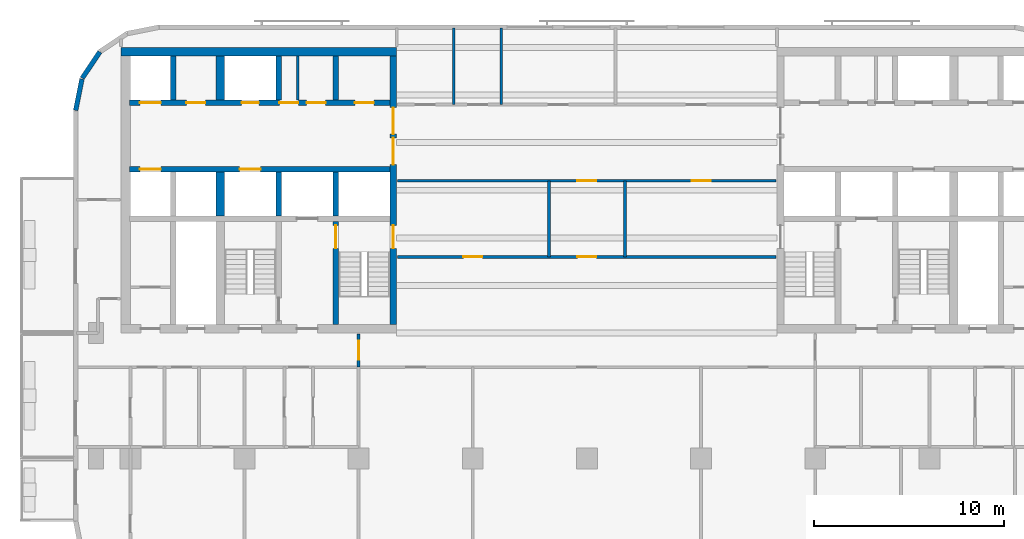
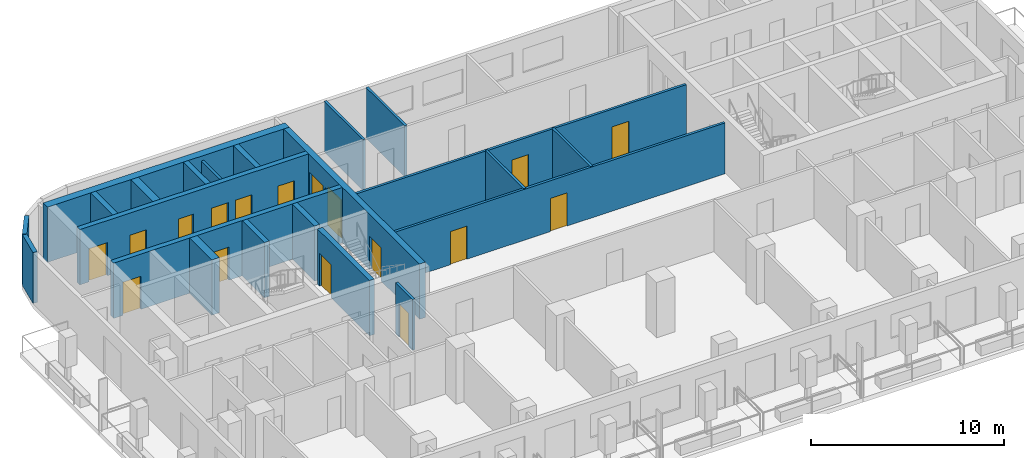
# One storey, part 4 of 11: 22 walls, 17 doors, 17 openings.
"""IFC4 building model written with IfcOpenShell, lengths in metres."""

from ifc_helpers import new_model, si_unit, direction, frame, frame_2d, origin, place, context, subcontext, project, spatial, rectangle, extrude, material, layer, layer_set, type_object, element, fill, save


model = new_model("IFC4")

# Units and contexts
model_context = context("Model", 3, precision=1e-05, world=origin(), true_north=direction((0.0, 1.0)))
body_context = subcontext(model_context, "Body", "Model", "MODEL_VIEW")
ifc_project = project(units=[si_unit("LENGTHUNIT", "METRE"), si_unit("AREAUNIT", "SQUARE_METRE"), si_unit("VOLUMEUNIT", "CUBIC_METRE"), si_unit("PLANEANGLEUNIT", "RADIAN"), si_unit("MASSUNIT", "GRAM", prefix="KILO")], contexts=[model_context])

# Site, building, storey
site_placement = place(None, origin())
site = spatial("IfcSite", under=ifc_project, at=site_placement, CompositionType="ELEMENT")
building_placement = place(site_placement, origin())
building = spatial("IfcBuilding", under=site, at=building_placement, Name="Torana Hotel and Residences", CompositionType="ELEMENT")
storey_placement = place(building_placement, frame((0.0, 0.0, 222.10009765625)))
storey = spatial("IfcBuildingStorey", under=building, at=storey_placement, Name="L58", CompositionType="ELEMENT", Elevation=222.10009765625)

# Wall, openings, doors
ifc_material_1 = material(Name="Concrete C70/85", Category="concrete")
ifc_layer_1 = layer(ifc_material_1, 0.300048828125)
ifc_layer_set_1 = layer_set([ifc_layer_1], Name="CORE WALL 300 C70/85")
wall_type_1 = type_object("IfcWallType", Name="CORE WALL 300 C70/85", PredefinedType="SHEAR", material=ifc_layer_set_1)
wall_1_placement = place(storey_placement, frame((-24.050048828125, -2.89990234375, 0.0), z_axis=(0.0, 0.0, 1.0), x_axis=(1.0, 0.0, 0.0)))
wall_1 = element("IfcWall", 1, at=wall_1_placement, inside=storey, type_object=wall_type_1, Name="Core wall W row-N", PredefinedType="SHEAR", context=body_context, shape_type="SweptSolid", body=[
    extrude(rectangle(XDim=13.699951171875, YDim=0.300048828125, at=frame_2d((6.85009765625, 0.0))), origin(), (0.0, 0.0, 1.0), 3.5),
])
opening_1_placement = place(wall_1_placement, frame((0.550048828125, 0.0, 0.0)))
opening_1 = element("IfcOpeningElement", 2, at=opening_1_placement, cuts=wall_1, Name="Opening LD", PredefinedType="OPENING", context=body_context, shape_type="SweptSolid", body=[
    extrude(rectangle(XDim=1.10009765625, YDim=2.10009765625, at=frame_2d((0.550048828125, 1.050048828125))), frame((0.0, 0.159912109375, 0.0), z_axis=(0.0, -1.0, 0.0), x_axis=(1.0, 0.0, 0.0)), (0.0, 0.0, 1.0), 0.320068359375),
])
opening_2_placement = place(wall_1_placement, frame((5.89990234375, 0.0, 0.0)))
opening_2 = element("IfcOpeningElement", 3, at=opening_2_placement, cuts=wall_1, Name="Opening L58-08", PredefinedType="OPENING", context=body_context, shape_type="SweptSolid", body=[
    extrude(rectangle(XDim=0.89990234375, YDim=2.10009765625, at=frame_2d((0.449951171875, 1.050048828125))), frame((0.0, 0.159912109375, 0.0), z_axis=(0.0, -1.0, 0.0), x_axis=(1.0, 0.0, 0.0)), (0.0, 0.0, 1.0), 0.320068359375),
])
opening_3_placement = place(wall_1_placement, frame((11.85009765625, 0.0, 0.0)))
opening_3 = element("IfcOpeningElement", 4, at=opening_3_placement, cuts=wall_1, Name="Opening L58-09", PredefinedType="OPENING", context=body_context, shape_type="SweptSolid", body=[
    extrude(rectangle(XDim=1.0, YDim=2.10009765625, at=frame_2d((0.5, 1.050048828125))), frame((0.0, 0.159912109375, 0.0), z_axis=(0.0, -1.0, 0.0), x_axis=(1.0, 0.0, 0.0)), (0.0, 0.0, 1.0), 0.320068359375),
])
opening_4_placement = place(wall_1_placement, frame((9.3125, 0.0, 0.0)))
opening_4 = element("IfcOpeningElement", 5, at=opening_4_placement, cuts=wall_1, Name="Opening L58-10", PredefinedType="OPENING", context=body_context, shape_type="SweptSolid", body=[
    extrude(rectangle(XDim=1.0, YDim=2.10009765625, at=frame_2d((0.5, 1.050048828125))), frame((0.0, 0.159912109375, 0.0), z_axis=(0.0, -1.0, 0.0), x_axis=(1.0, 0.0, 0.0)), (0.0, 0.0, 1.0), 0.320068359375),
])
opening_5_placement = place(wall_1_placement, frame((7.887451171875, 0.0, 0.0)))
opening_5 = element("IfcOpeningElement", 6, at=opening_5_placement, cuts=wall_1, Name="Opening L58-11", PredefinedType="OPENING", context=body_context, shape_type="SweptSolid", body=[
    extrude(rectangle(XDim=1.0, YDim=2.10009765625, at=frame_2d((0.5, 1.050048828125))), frame((0.0, 0.159912109375, 0.0), z_axis=(0.0, -1.0, 0.0), x_axis=(1.0, 0.0, 0.0)), (0.0, 0.0, 1.0), 0.320068359375),
])
opening_6_placement = place(wall_1_placement, frame((3.0, 0.0, 0.0)))
opening_6 = element("IfcOpeningElement", 7, at=opening_6_placement, cuts=wall_1, Name="Opening L58-12", PredefinedType="OPENING", context=body_context, shape_type="SweptSolid", body=[
    extrude(rectangle(XDim=1.0, YDim=2.10009765625, at=frame_2d((0.5, 1.050048828125))), frame((0.0, 0.159912109375, 0.0), z_axis=(0.0, -1.0, 0.0), x_axis=(1.0, 0.0, 0.0)), (0.0, 0.0, 1.0), 0.320068359375),
])
ifc_material_2 = material(Name="Steel S235", Category="steel")
door_type_1 = type_object("IfcDoorType", Name="CORE ROOM FIRE DOOR D14 1000x2100", OperationType="SINGLE_SWING_LEFT", PredefinedType="DOOR", material=ifc_material_2)
door_1_placement = place(opening_3_placement, origin())
door_1 = element("IfcDoor", 8, at=door_1_placement, inside=storey, type_object=door_type_1, Name="N0 door L58", OperationType="SINGLE_SWING_RIGHT", OverallHeight=2.10009765625, OverallWidth=1.0, PredefinedType="DOOR", context=body_context, shape_type="SweptSolid", body=[
    extrude(rectangle(XDim=1.0, YDim=2.10009765625, at=frame_2d((0.5, 1.050048828125))), frame((0.0, 0.02490234375, 0.0), z_axis=(0.0, -1.0, 0.0), x_axis=(1.0, 0.0, 0.0)), (0.0, 0.0, 1.0), 0.050048828125),
])
fill(opening_3, door_1)
door_2_placement = place(opening_4_placement, origin())
door_2 = element("IfcDoor", 9, at=door_2_placement, inside=storey, type_object=door_type_1, Name="N1A door L58", OperationType="SINGLE_SWING_RIGHT", OverallHeight=2.10009765625, OverallWidth=1.0, PredefinedType="DOOR", context=body_context, shape_type="SweptSolid", body=[
    extrude(rectangle(XDim=1.0, YDim=2.10009765625, at=frame_2d((0.5, 1.050048828125))), frame((0.0, 0.02490234375, 0.0), z_axis=(0.0, -1.0, 0.0), x_axis=(1.0, 0.0, 0.0)), (0.0, 0.0, 1.0), 0.050048828125),
])
fill(opening_4, door_2)
door_3_placement = place(opening_5_placement, origin())
door_3 = element("IfcDoor", 10, at=door_3_placement, inside=storey, type_object=door_type_1, Name="N1B door L58", OperationType="SINGLE_SWING_RIGHT", OverallHeight=2.10009765625, OverallWidth=1.0, PredefinedType="DOOR", context=body_context, shape_type="SweptSolid", body=[
    extrude(rectangle(XDim=1.0, YDim=2.10009765625, at=frame_2d((0.5, 1.050048828125))), frame((0.0, 0.02490234375, 0.0), z_axis=(0.0, -1.0, 0.0), x_axis=(1.0, 0.0, 0.0)), (0.0, 0.0, 1.0), 0.050048828125),
])
fill(opening_5, door_3)
door_4_placement = place(opening_6_placement, origin())
door_4 = element("IfcDoor", 11, at=door_4_placement, inside=storey, type_object=door_type_1, Name="Freed-S1 door L58", OperationType="SINGLE_SWING_RIGHT", OverallHeight=2.10009765625, OverallWidth=1.0, PredefinedType="DOOR", context=body_context, shape_type="SweptSolid", body=[
    extrude(rectangle(XDim=1.0, YDim=2.10009765625, at=frame_2d((0.5, 1.050048828125))), frame((0.0, 0.02490234375, 0.0), z_axis=(0.0, -1.0, 0.0), x_axis=(1.0, 0.0, 0.0)), (0.0, 0.0, 1.0), 0.050048828125),
])
fill(opening_6, door_4)
ifc_material_3 = material(Name="Stainless steel 316", Category="steel")
door_type_2 = type_object("IfcDoorType", Name="LIFT LANDING DOOR LD 1100x2100", OperationType="DOUBLE_DOOR_SLIDING", PredefinedType="USERDEFINED", material=ifc_material_3)
door_5_placement = place(opening_1_placement, origin())
door_5 = element("IfcDoor", 12, at=door_5_placement, inside=storey, type_object=door_type_2, Name="Lift landing door M1 L58", ObjectType="LIFT LANDING DOOR", OperationType="DOUBLE_DOOR_SLIDING", OverallHeight=2.10009765625, OverallWidth=1.10009765625, PredefinedType="USERDEFINED", context=body_context, shape_type="SweptSolid", body=[
    extrude(rectangle(XDim=1.10009765625, YDim=2.10009765625, at=frame_2d((0.550048828125, 1.050048828125))), frame((0.0, 0.02490234375, 0.0), z_axis=(0.0, -1.0, 0.0), x_axis=(1.0, 0.0, 0.0)), (0.0, 0.0, 1.0), 0.050048828125),
])
fill(opening_1, door_5)
ifc_material_4 = material(Name="Steel S235", Category="steel")
door_type_3 = type_object("IfcDoorType", Name="RISER ACCESS DOOR D5 900x2100", OperationType="SINGLE_SWING_LEFT", PredefinedType="DOOR", material=ifc_material_4)
door_6_placement = place(opening_2_placement, origin())
door_6 = element("IfcDoor", 13, at=door_6_placement, inside=storey, type_object=door_type_3, Name="N2 door L58", OperationType="SINGLE_SWING_RIGHT", OverallHeight=2.10009765625, OverallWidth=0.89990234375, PredefinedType="DOOR", context=body_context, shape_type="SweptSolid", body=[
    extrude(rectangle(XDim=0.89990234375, YDim=2.10009765625, at=frame_2d((0.449951171875, 1.050048828125))), frame((0.0, 0.02490234375, 0.0), z_axis=(0.0, -1.0, 0.0), x_axis=(1.0, 0.0, 0.0)), (0.0, 0.0, 1.0), 0.050048828125),
])
fill(opening_2, door_6)

wall_2_placement = place(storey_placement, frame((-24.050048828125, -6.39990234375, 0.0), z_axis=(0.0, 0.0, 1.0), x_axis=(1.0, 0.0, 0.0)))
wall_2 = element("IfcWall", 14, at=wall_2_placement, inside=storey, type_object=wall_type_1, Name="Core wall W row-S", PredefinedType="SHEAR", context=body_context, shape_type="SweptSolid", body=[
    extrude(rectangle(XDim=13.699951171875, YDim=0.300048828125, at=frame_2d((6.85009765625, 0.0))), origin(), (0.0, 0.0, 1.0), 3.5),
])
opening_7_placement = place(wall_2_placement, frame((0.550048828125, 0.0, 0.0)))
opening_7 = element("IfcOpeningElement", 15, at=opening_7_placement, cuts=wall_2, Name="Opening LD", PredefinedType="OPENING", context=body_context, shape_type="SweptSolid", body=[
    extrude(rectangle(XDim=1.10009765625, YDim=2.10009765625, at=frame_2d((0.550048828125, 1.050048828125))), frame((0.0, 0.159912109375, 0.0), z_axis=(0.0, -1.0, 0.0), x_axis=(1.0, 0.0, 0.0)), (0.0, 0.0, 1.0), 0.320068359375),
])
opening_8_placement = place(wall_2_placement, frame((5.800048828125, 0.0, 0.0)))
opening_8 = element("IfcOpeningElement", 16, at=opening_8_placement, cuts=wall_2, Name="Opening LD", PredefinedType="OPENING", context=body_context, shape_type="SweptSolid", body=[
    extrude(rectangle(XDim=1.10009765625, YDim=2.10009765625, at=frame_2d((0.550048828125, 1.050048828125))), frame((0.0, 0.159912109375, 0.0), z_axis=(0.0, -1.0, 0.0), x_axis=(1.0, 0.0, 0.0)), (0.0, 0.0, 1.0), 0.320068359375),
])
door_7_placement = place(opening_7_placement, origin())
door_7 = element("IfcDoor", 17, at=door_7_placement, inside=storey, type_object=door_type_2, Name="Lift landing door M2 L58", ObjectType="LIFT LANDING DOOR", OperationType="DOUBLE_DOOR_SLIDING", OverallHeight=2.10009765625, OverallWidth=1.10009765625, PredefinedType="USERDEFINED", context=body_context, shape_type="SweptSolid", body=[
    extrude(rectangle(XDim=1.10009765625, YDim=2.10009765625, at=frame_2d((0.550048828125, 1.050048828125))), frame((0.0, 0.02490234375, 0.0), z_axis=(0.0, -1.0, 0.0), x_axis=(1.0, 0.0, 0.0)), (0.0, 0.0, 1.0), 0.050048828125),
])
fill(opening_7, door_7)
door_8_placement = place(opening_8_placement, origin())
door_8 = element("IfcDoor", 18, at=door_8_placement, inside=storey, type_object=door_type_2, Name="Lift landing door SV1 L58", ObjectType="LIFT LANDING DOOR", OperationType="DOUBLE_DOOR_SLIDING", OverallHeight=2.10009765625, OverallWidth=1.10009765625, PredefinedType="USERDEFINED", context=body_context, shape_type="SweptSolid", body=[
    extrude(rectangle(XDim=1.10009765625, YDim=2.10009765625, at=frame_2d((0.550048828125, 1.050048828125))), frame((0.0, 0.02490234375, 0.0), z_axis=(0.0, -1.0, 0.0), x_axis=(1.0, 0.0, 0.0)), (0.0, 0.0, 1.0), 0.050048828125),
])
fill(opening_8, door_8)

# Walls
for number, where, z_axis, x_axis, name in (
    (19, (-13.199951171875, -2.75, 0.0), (0.0, 0.0, 1.0), (0.0, 1.0, 0.0), "Core wall W x3.05-N"),
    (20, (-13.199951171875, -8.85009765625, 0.0), (0.0, 0.0, 1.0), (0.0, 1.0, 0.0), "Core wall W x3.05-S"),
):
    element("IfcWall", number, at=place(storey_placement, frame(where, z_axis=z_axis, x_axis=x_axis)), inside=storey, type_object=wall_type_1, Name=name, PredefinedType="SHEAR", context=body_context, shape_type="SweptSolid", body=[
        extrude(rectangle(XDim=2.300048828125, YDim=0.300048828125, at=frame_2d((1.14990234375, 0.0))), origin(), (0.0, 0.0, 1.0), 3.5),
    ])

# Wall, opening, door
wall_3_placement = place(storey_placement, frame((-13.199951171875, -14.550048828125, 0.0), z_axis=(0.0, 0.0, 1.0), x_axis=(0.0, 1.0, 0.0)))
wall_3 = element("IfcWall", 21, at=wall_3_placement, inside=storey, type_object=wall_type_1, Name="Core wall W x3.05-band", PredefinedType="SHEAR", context=body_context, shape_type="SweptSolid", body=[
    extrude(rectangle(XDim=5.400146484375, YDim=0.300048828125, at=frame_2d((2.7001953125, 0.0))), origin(), (0.0, 0.0, 1.0), 3.5),
])
opening_9_placement = place(wall_3_placement, frame((4.0, 0.0, 0.0)))
opening_9 = element("IfcOpeningElement", 22, at=opening_9_placement, cuts=wall_3, Name="Opening L58-13", PredefinedType="OPENING", context=body_context, shape_type="SweptSolid", body=[
    extrude(rectangle(XDim=1.199951171875, YDim=2.10009765625, at=frame_2d((0.60009765625, 1.050048828125))), frame((0.0, 0.159912109375, 0.0), z_axis=(0.0, -1.0, 0.0), x_axis=(1.0, 0.0, 0.0)), (0.0, 0.0, 1.0), 0.320068359375),
])
ifc_material_5 = material(Name="Steel S235", Category="steel")
door_type_4 = type_object("IfcDoorType", Name="STAIR FIRE DOOR D3 1200x2100", OperationType="SINGLE_SWING_LEFT", PredefinedType="DOOR", material=ifc_material_5)
door_9_placement = place(opening_9_placement, frame((0.60009765625, 0.0, 0.0), z_axis=(0.0, 0.0, 1.0), x_axis=(-1.0, 0.0, 0.0)))
door_9 = element("IfcDoor", 23, at=door_9_placement, inside=storey, type_object=door_type_4, Name="Stair-A-lobby door L58", OperationType="SINGLE_SWING_RIGHT", OverallHeight=2.10009765625, OverallWidth=1.199951171875, PredefinedType="DOOR", context=body_context, shape_type="SweptSolid", body=[
    extrude(rectangle(XDim=1.199951171875, YDim=2.10009765625, at=frame_2d((0.0, 1.050048828125))), frame((0.0, -0.02490234375, 0.0), z_axis=(0.0, 1.0, 0.0), x_axis=(-1.0, 0.0, 0.0)), (0.0, 0.0, 1.0), 0.050048828125),
])
fill(opening_9, door_9)

# Walls
for number, where, z_axis, x_axis, name in (
    (24, (-16.199951171875, -2.75, 0.0), (0.0, 0.0, 1.0), (0.0, 1.0, 0.0), "Core wall W x6.05-N"),
    (25, (-16.199951171875, -8.85009765625, 0.0), (0.0, 0.0, 1.0), (0.0, 1.0, 0.0), "Core wall W x6.05-S"),
    (26, (-21.75, -2.75, 0.0), (0.0, 0.0, 1.0), (0.0, 1.0, 0.0), "Core wall W mm-N"),
):
    element("IfcWall", number, at=place(storey_placement, frame(where, z_axis=z_axis, x_axis=x_axis)), inside=storey, type_object=wall_type_1, Name=name, PredefinedType="SHEAR", context=body_context, shape_type="SweptSolid", body=[
        extrude(rectangle(XDim=2.300048828125, YDim=0.300048828125, at=frame_2d((1.14990234375, 0.0))), origin(), (0.0, 0.0, 1.0), 3.5),
    ])

# Wall, openings, doors
ifc_material_6 = material(Name="Concrete C70/85", Category="concrete")
ifc_layer_2 = layer(ifc_material_6, 0.35009765625)
ifc_layer_set_2 = layer_set([ifc_layer_2], Name="CORE WALL 350 C70/85")
wall_type_2 = type_object("IfcWallType", Name="CORE WALL 350 C70/85", PredefinedType="SHEAR", material=ifc_layer_set_2)
wall_4_placement = place(storey_placement, frame((-10.175048828125, -14.550048828125, 0.0), z_axis=(0.0, 0.0, 1.0), x_axis=(0.0, 1.0, 0.0)))
wall_4 = element("IfcWall", 27, at=wall_4_placement, inside=storey, type_object=wall_type_2, Name="Core wall W arch", PredefinedType="SHEAR", context=body_context, shape_type="SweptSolid", body=[
    extrude(rectangle(XDim=14.10009765625, YDim=0.35009765625, at=frame_2d((7.050048828125, 0.0))), origin(), (0.0, 0.0, 1.0), 3.5),
])
opening_10_placement = place(wall_4_placement, frame((8.39990234375, 0.0, 0.0)))
opening_10 = element("IfcOpeningElement", 28, at=opening_10_placement, cuts=wall_4, Name="Opening L58-01", PredefinedType="OPENING", context=body_context, shape_type="SweptSolid", body=[
    extrude(rectangle(XDim=1.39990234375, YDim=2.39990234375, at=frame_2d((0.699951171875, 1.199951171875))), frame((0.0, 0.18505859375, 0.0), z_axis=(0.0, -1.0, 0.0), x_axis=(1.0, 0.0, 0.0)), (0.0, 0.0, 1.0), 0.3701171875),
])
opening_11_placement = place(wall_4_placement, frame((10.0, 0.0, 0.0)))
opening_11 = element("IfcOpeningElement", 29, at=opening_11_placement, cuts=wall_4, Name="Opening L58-02", PredefinedType="OPENING", context=body_context, shape_type="SweptSolid", body=[
    extrude(rectangle(XDim=1.39990234375, YDim=2.39990234375, at=frame_2d((0.699951171875, 1.199951171875))), frame((0.0, 0.18505859375, 0.0), z_axis=(0.0, -1.0, 0.0), x_axis=(1.0, 0.0, 0.0)), (0.0, 0.0, 1.0), 0.3701171875),
])
opening_12_placement = place(wall_4_placement, frame((4.0, 0.0, 0.0)))
opening_12 = element("IfcOpeningElement", 30, at=opening_12_placement, cuts=wall_4, Name="Opening L58-03", PredefinedType="OPENING", context=body_context, shape_type="SweptSolid", body=[
    extrude(rectangle(XDim=1.199951171875, YDim=2.10009765625, at=frame_2d((0.60009765625, 1.050048828125))), frame((0.0, 0.18505859375, 0.0), z_axis=(0.0, -1.0, 0.0), x_axis=(1.0, 0.0, 0.0)), (0.0, 0.0, 1.0), 0.3701171875),
])
ifc_material_7 = material(Name="Steel S235", Category="steel")
door_type_5 = type_object("IfcDoorType", Name="LOBBY FIRE DOOR D4 1400x2400", OperationType="DOUBLE_DOOR_SINGLE_SWING", PredefinedType="DOOR", material=ifc_material_7)
door_10_placement = place(opening_10_placement, origin())
door_10 = element("IfcDoor", 31, at=door_10_placement, inside=storey, type_object=door_type_5, Name="Lobby-1 door L58", OperationType="DOUBLE_DOOR_SINGLE_SWING", OverallHeight=2.39990234375, OverallWidth=1.39990234375, PredefinedType="DOOR", context=body_context, shape_type="SweptSolid", body=[
    extrude(rectangle(XDim=1.39990234375, YDim=2.39990234375, at=frame_2d((0.699951171875, 1.199951171875))), frame((0.0, 0.02490234375, 0.0), z_axis=(0.0, -1.0, 0.0), x_axis=(1.0, 0.0, 0.0)), (0.0, 0.0, 1.0), 0.050048828125),
])
fill(opening_10, door_10)
door_11_placement = place(opening_11_placement, origin())
door_11 = element("IfcDoor", 32, at=door_11_placement, inside=storey, type_object=door_type_5, Name="Lobby-2 door L58", OperationType="DOUBLE_DOOR_SINGLE_SWING", OverallHeight=2.39990234375, OverallWidth=1.39990234375, PredefinedType="DOOR", context=body_context, shape_type="SweptSolid", body=[
    extrude(rectangle(XDim=1.39990234375, YDim=2.39990234375, at=frame_2d((0.699951171875, 1.199951171875))), frame((0.0, 0.02490234375, 0.0), z_axis=(0.0, -1.0, 0.0), x_axis=(1.0, 0.0, 0.0)), (0.0, 0.0, 1.0), 0.050048828125),
])
fill(opening_11, door_11)
door_12_placement = place(opening_12_placement, origin())
door_12 = element("IfcDoor", 33, at=door_12_placement, inside=storey, type_object=door_type_4, Name="Stair-A door L58", OperationType="SINGLE_SWING_LEFT", OverallHeight=2.10009765625, OverallWidth=1.199951171875, PredefinedType="DOOR", context=body_context, shape_type="SweptSolid", body=[
    extrude(rectangle(XDim=1.199951171875, YDim=2.10009765625, at=frame_2d((0.60009765625, 1.050048828125))), frame((0.0, 0.02490234375, 0.0), z_axis=(0.0, -1.0, 0.0), x_axis=(1.0, 0.0, 0.0)), (0.0, 0.0, 1.0), 0.050048828125),
])
fill(opening_12, door_12)

# Walls
ifc_material_8 = material(Name="Concrete C70/85", Category="concrete")
ifc_layer_3 = layer(ifc_material_8, 0.449951171875)
ifc_layer_set_3 = layer_set([ifc_layer_3], Name="CORE WALL 450 C70/85")
wall_type_3 = type_object("IfcWallType", Name="CORE WALL 450 C70/85", PredefinedType="SHEAR", material=ifc_layer_set_3)
wall_5_placement = place(storey_placement, frame((-24.5, -0.22509765625, 0.0), z_axis=(0.0, 0.0, 1.0), x_axis=(1.0, 0.0, 0.0)))
element("IfcWall", 34, at=wall_5_placement, inside=storey, type_object=wall_type_3, Name="Core wall W rear", PredefinedType="SHEAR", context=body_context, shape_type="SweptSolid", body=[
    extrude(rectangle(XDim=14.5, YDim=0.449951171875, at=frame_2d((7.25, 0.0))), origin(), (0.0, 0.0, 1.0), 3.5),
])
for number, where, z_axis, x_axis, name in (
    (35, (-19.27490234375, -2.75, 0.0), (0.0, 0.0, 1.0), (0.0, 1.0, 0.0), "Core wall W hm-N"),
    (36, (-19.27490234375, -8.85009765625, 0.0), (0.0, 0.0, 1.0), (0.0, 1.0, 0.0), "Core wall W hm-S"),
):
    element("IfcWall", number, at=place(storey_placement, frame(where, z_axis=z_axis, x_axis=x_axis)), inside=storey, type_object=wall_type_3, Name=name, PredefinedType="SHEAR", context=body_context, shape_type="SweptSolid", body=[
        extrude(rectangle(XDim=2.300048828125, YDim=0.449951171875, at=frame_2d((1.14990234375, 0.0))), origin(), (0.0, 0.0, 1.0), 3.5),
    ])
ifc_material_9 = material(Name="Black aluminium composite panel", Category="aluminium")
ifc_layer_4 = layer(ifc_material_9, 0.00390625, Name="Cladding", Category="cladding")
ifc_material_10 = material(Name="Ventilated air cavity")
ifc_layer_5 = layer(ifc_material_10, 0.0400390625, Name="Ventilated cavity", Category="cavity")
ifc_material_11 = material(Name="Mineral wool insulation")
ifc_layer_6 = layer(ifc_material_11, 0.090087890625, Name="Insulation", Category="insulation")
ifc_material_12 = material(Name="Steel S280GD", Category="steel")
ifc_layer_7 = layer(ifc_material_12, 0.092041015625, Name="Steel stud frame", Category="structure")
ifc_material_13 = material(Name="Fire rated plasterboard")
ifc_layer_8 = layer(ifc_material_13, 0.011962890625, Name="Inner board", Category="finish")
ifc_layer_9 = layer(ifc_material_13, 0.011962890625, Name="Second board", Category="finish")
ifc_layer_set_4 = layer_set([ifc_layer_4, ifc_layer_5, ifc_layer_6, ifc_layer_7, ifc_layer_8, ifc_layer_9], Name="EW1 EXTERNAL WALL BLACK METAL CLAD 250")
wall_type_4 = type_object("IfcWallType", Name="EW1 EXTERNAL WALL BLACK METAL CLAD 250", PredefinedType="SOLIDWALL", material=ifc_layer_set_4)
wall_6_placement = place(storey_placement, frame((-25.605712890625, -0.228759765625, 0.0), z_axis=(0.0, 0.0, 1.0), x_axis=(-0.55555029066, -0.831482937015, 0.0)))
element("IfcWall", 37, at=wall_6_placement, inside=storey, type_object=wall_type_4, Name="External wall L58 e0.7", PredefinedType="SOLIDWALL", context=body_context, shape_type="SweptSolid", body=[
    extrude(rectangle(XDim=1.65625, YDim=0.25, at=frame_2d((0.828125, 0.0))), origin(), (0.0, 0.0, 1.0), 3.219970703125),
])
wall_7_placement = place(storey_placement, frame((-26.544677734375, -1.651123046875, 0.0), z_axis=(0.0, 0.0, 1.0), x_axis=(-0.194999110559, -0.980803419081, 0.0)))
element("IfcWall", 38, at=wall_7_placement, inside=storey, type_object=wall_type_4, Name="External wall L58 e0.8", PredefinedType="SOLIDWALL", context=body_context, shape_type="SweptSolid", body=[
    extrude(rectangle(XDim=1.681396484375, YDim=0.25, at=frame_2d((0.8408203125, 0.0))), origin(), (0.0, 0.0, 1.0), 3.219970703125),
])
ifc_material_14 = material(Name="Gypsum plaster")
ifc_layer_10 = layer(ifc_material_14, 0.014892578125, Name="Plaster", Category="finish")
ifc_material_15 = material(Name="Concrete blockwork", Category="masonry")
ifc_layer_11 = layer(ifc_material_15, 0.1201171875, Name="Blockwork", Category="structure")
ifc_layer_12 = layer(ifc_material_14, 0.014892578125, Name="Plaster", Category="finish")
ifc_layer_set_5 = layer_set([ifc_layer_10, ifc_layer_11, ifc_layer_12], Name="FIRE PARTITION 150 BLOCKWORK")
wall_type_5 = type_object("IfcWallType", Name="FIRE PARTITION 150 BLOCKWORK", PredefinedType="PARTITIONING", material=ifc_layer_set_5)
wall_8_placement = place(storey_placement, frame((-15.199951171875, -2.75, 0.0), z_axis=(0.0, 0.0, 1.0), x_axis=(0.0, 1.0, 0.0)))
element("IfcWall", 39, at=wall_8_placement, inside=storey, type_object=wall_type_5, Name="Core partition L58", PredefinedType="PARTITIONING", context=body_context, shape_type="SweptSolid", body=[
    extrude(rectangle(XDim=2.300048828125, YDim=0.14990234375, at=frame_2d((1.14990234375, 0.0))), origin(), (0.0, 0.0, 1.0), 3.199951171875),
])
for number, where, z_axis, x_axis, name in (
    (40, (2.0, -11.0, 0.0), (0.0, 0.0, 1.0), (0.0, 1.0, 0.0), "Partition L58"),
    (41, (-2.0, -11.0, 0.0), (0.0, 0.0, 1.0), (0.0, 1.0, 0.0), "Partition L58"),
):
    element("IfcWall", number, at=place(storey_placement, frame(where, z_axis=z_axis, x_axis=x_axis)), inside=storey, type_object=wall_type_5, Name=name, PredefinedType="PARTITIONING", context=body_context, shape_type="SweptSolid", body=[
        extrude(rectangle(XDim=4.0, YDim=0.14990234375, at=frame_2d((2.0, 0.0))), origin(), (0.0, 0.0, 1.0), 3.219970703125),
    ])

# Wall, opening, door
wall_9_placement = place(storey_placement, frame((-12.0, -16.800048828125, 0.0), z_axis=(0.0, 0.0, 1.0), x_axis=(0.0, 1.0, 0.0)))
wall_9 = element("IfcWall", 42, at=wall_9_placement, inside=storey, type_object=wall_type_5, Name="Partition L58", PredefinedType="PARTITIONING", context=body_context, shape_type="SweptSolid", body=[
    extrude(rectangle(XDim=1.75, YDim=0.14990234375, at=frame_2d((0.875, 0.0))), origin(), (0.0, 0.0, 1.0), 3.219970703125),
])
opening_13_placement = place(wall_9_placement, frame((0.39990234375, 0.0, 0.0)))
opening_13 = element("IfcOpeningElement", 43, at=opening_13_placement, cuts=wall_9, Name="Opening L58-31", PredefinedType="OPENING", context=body_context, shape_type="SweptSolid", body=[
    extrude(rectangle(XDim=1.0, YDim=2.10009765625, at=frame_2d((0.5, 1.050048828125))), frame((0.0, 0.0849609375, 0.0), z_axis=(0.0, -1.0, 0.0), x_axis=(1.0, 0.0, 0.0)), (0.0, 0.0, 1.0), 0.169921875),
])
ifc_material_16 = material(Name="Steel S235", Category="steel")
door_type_6 = type_object("IfcDoorType", Name="ENTRY FIRE DOOR D6 1000x2100", OperationType="SINGLE_SWING_LEFT", PredefinedType="DOOR", material=ifc_material_16)
door_13_placement = place(opening_13_placement, origin())
door_13 = element("IfcDoor", 44, at=door_13_placement, inside=storey, type_object=door_type_6, Name="Door L58", OperationType="SINGLE_SWING_RIGHT", OverallHeight=2.10009765625, OverallWidth=1.0, PredefinedType="DOOR", context=body_context, shape_type="SweptSolid", body=[
    extrude(rectangle(XDim=1.0, YDim=2.10009765625, at=frame_2d((0.5, 1.050048828125))), frame((0.0, 0.02490234375, 0.0), z_axis=(0.0, -1.0, 0.0), x_axis=(1.0, 0.0, 0.0)), (0.0, 0.0, 1.0), 0.050048828125),
])
fill(opening_13, door_13)

# Wall, openings, doors
wall_10_placement = place(storey_placement, frame((-9.949951171875, -11.0, 0.0), z_axis=(0.0, 0.0, 1.0), x_axis=(1.0, 0.0, 0.0)))
wall_10 = element("IfcWall", 45, at=wall_10_placement, inside=storey, type_object=wall_type_5, Name="Partition L58", PredefinedType="PARTITIONING", context=body_context, shape_type="SweptSolid", body=[
    extrude(rectangle(XDim=19.89990234375, YDim=0.14990234375, at=frame_2d((9.949951171875, 0.0))), origin(), (0.0, 0.0, 1.0), 3.219970703125),
])
opening_14_placement = place(wall_10_placement, frame((9.449951171875, 0.0, 0.0)))
opening_14 = element("IfcOpeningElement", 46, at=opening_14_placement, cuts=wall_10, Name="Opening L58-40", PredefinedType="OPENING", context=body_context, shape_type="SweptSolid", body=[
    extrude(rectangle(XDim=1.0, YDim=2.10009765625, at=frame_2d((0.5, 1.050048828125))), frame((0.0, 0.0849609375, 0.0), z_axis=(0.0, -1.0, 0.0), x_axis=(1.0, 0.0, 0.0)), (0.0, 0.0, 1.0), 0.169921875),
])
opening_15_placement = place(wall_10_placement, frame((3.449951171875, 0.0, 0.0)))
opening_15 = element("IfcOpeningElement", 47, at=opening_15_placement, cuts=wall_10, Name="Opening L58-44", PredefinedType="OPENING", context=body_context, shape_type="SweptSolid", body=[
    extrude(rectangle(XDim=1.0, YDim=2.10009765625, at=frame_2d((0.5, 1.050048828125))), frame((0.0, 0.0849609375, 0.0), z_axis=(0.0, -1.0, 0.0), x_axis=(1.0, 0.0, 0.0)), (0.0, 0.0, 1.0), 0.169921875),
])
door_14_placement = place(opening_14_placement, origin())
door_14 = element("IfcDoor", 48, at=door_14_placement, inside=storey, type_object=door_type_6, Name="Door L58", OperationType="SINGLE_SWING_RIGHT", OverallHeight=2.10009765625, OverallWidth=1.0, PredefinedType="DOOR", context=body_context, shape_type="SweptSolid", body=[
    extrude(rectangle(XDim=1.0, YDim=2.10009765625, at=frame_2d((0.5, 1.050048828125))), frame((0.0, 0.02490234375, 0.0), z_axis=(0.0, -1.0, 0.0), x_axis=(1.0, 0.0, 0.0)), (0.0, 0.0, 1.0), 0.050048828125),
])
fill(opening_14, door_14)
door_15_placement = place(opening_15_placement, origin())
door_15 = element("IfcDoor", 49, at=door_15_placement, inside=storey, type_object=door_type_6, Name="Door L58", OperationType="SINGLE_SWING_RIGHT", OverallHeight=2.10009765625, OverallWidth=1.0, PredefinedType="DOOR", context=body_context, shape_type="SweptSolid", body=[
    extrude(rectangle(XDim=1.0, YDim=2.10009765625, at=frame_2d((0.5, 1.050048828125))), frame((0.0, 0.02490234375, 0.0), z_axis=(0.0, -1.0, 0.0), x_axis=(1.0, 0.0, 0.0)), (0.0, 0.0, 1.0), 0.050048828125),
])
fill(opening_15, door_15)

wall_11_placement = place(storey_placement, frame((-9.949951171875, -7.0, 0.0), z_axis=(0.0, 0.0, 1.0), x_axis=(1.0, 0.0, 0.0)))
wall_11 = element("IfcWall", 50, at=wall_11_placement, inside=storey, type_object=wall_type_5, Name="Partition L58", PredefinedType="PARTITIONING", context=body_context, shape_type="SweptSolid", body=[
    extrude(rectangle(XDim=19.89990234375, YDim=0.14990234375, at=frame_2d((9.949951171875, 0.0))), origin(), (0.0, 0.0, 1.0), 3.219970703125),
])
opening_16_placement = place(wall_11_placement, frame((9.449951171875, 0.0, 0.0)))
opening_16 = element("IfcOpeningElement", 51, at=opening_16_placement, cuts=wall_11, Name="Opening L58-45", PredefinedType="OPENING", context=body_context, shape_type="SweptSolid", body=[
    extrude(rectangle(XDim=1.0, YDim=2.10009765625, at=frame_2d((0.5, 1.050048828125))), frame((0.0, 0.0849609375, 0.0), z_axis=(0.0, -1.0, 0.0), x_axis=(1.0, 0.0, 0.0)), (0.0, 0.0, 1.0), 0.169921875),
])
opening_17_placement = place(wall_11_placement, frame((15.449951171875, 0.0, 0.0)))
opening_17 = element("IfcOpeningElement", 52, at=opening_17_placement, cuts=wall_11, Name="Opening L58-46", PredefinedType="OPENING", context=body_context, shape_type="SweptSolid", body=[
    extrude(rectangle(XDim=1.0, YDim=2.10009765625, at=frame_2d((0.5, 1.050048828125))), frame((0.0, 0.0849609375, 0.0), z_axis=(0.0, -1.0, 0.0), x_axis=(1.0, 0.0, 0.0)), (0.0, 0.0, 1.0), 0.169921875),
])
door_16_placement = place(opening_16_placement, origin())
door_16 = element("IfcDoor", 53, at=door_16_placement, inside=storey, type_object=door_type_6, Name="Door L58", OperationType="SINGLE_SWING_RIGHT", OverallHeight=2.10009765625, OverallWidth=1.0, PredefinedType="DOOR", context=body_context, shape_type="SweptSolid", body=[
    extrude(rectangle(XDim=1.0, YDim=2.10009765625, at=frame_2d((0.5, 1.050048828125))), frame((0.0, 0.02490234375, 0.0), z_axis=(0.0, -1.0, 0.0), x_axis=(1.0, 0.0, 0.0)), (0.0, 0.0, 1.0), 0.050048828125),
])
fill(opening_16, door_16)
door_17_placement = place(opening_17_placement, frame((0.5, 0.0, 0.0), z_axis=(0.0, 0.0, 1.0), x_axis=(-1.0, 0.0, 0.0)))
door_17 = element("IfcDoor", 54, at=door_17_placement, inside=storey, type_object=door_type_6, Name="Door L58", OperationType="SINGLE_SWING_LEFT", OverallHeight=2.10009765625, OverallWidth=1.0, PredefinedType="DOOR", context=body_context, shape_type="SweptSolid", body=[
    extrude(rectangle(XDim=1.0, YDim=2.10009765625, at=frame_2d((0.0, 1.050048828125))), frame((0.0, -0.02490234375, 0.0), z_axis=(0.0, 1.0, 0.0), x_axis=(-1.0, 0.0, 0.0)), (0.0, 0.0, 1.0), 0.050048828125),
])
fill(opening_17, door_17)

# Walls
ifc_material_17 = material(Name="Ceramic tile on adhesive")
ifc_layer_13 = layer(ifc_material_17, 0.010009765625, Name="Wall tile", Category="finish")
ifc_material_18 = material(Name="Cement render")
ifc_layer_14 = layer(ifc_material_18, 0.010009765625, Name="Render", Category="finish")
ifc_layer_15 = layer(ifc_material_15, 0.110107421875, Name="Blockwork", Category="structure")
ifc_layer_16 = layer(ifc_material_18, 0.010009765625, Name="Render", Category="finish")
ifc_layer_17 = layer(ifc_material_17, 0.010009765625, Name="Wall tile", Category="finish")
ifc_layer_set_6 = layer_set([ifc_layer_13, ifc_layer_14, ifc_layer_15, ifc_layer_16, ifc_layer_17], Name="WC PARTITION 150")
wall_type_6 = type_object("IfcWallType", Name="WC PARTITION 150", PredefinedType="PLUMBINGWALL", material=ifc_layer_set_6)
for number, where, z_axis, x_axis, name in (
    (55, (-4.5, -3.0, 0.0), (0.0, 0.0, 1.0), (0.0, 1.0, 0.0), "Partition L58"),
    (56, (-7.0, -3.0, 0.0), (0.0, 0.0, 1.0), (0.0, 1.0, 0.0), "Partition L58"),
):
    element("IfcWall", number, at=place(storey_placement, frame(where, z_axis=z_axis, x_axis=x_axis)), inside=storey, type_object=wall_type_6, Name=name, PredefinedType="PLUMBINGWALL", context=body_context, shape_type="SweptSolid", body=[
        extrude(rectangle(XDim=4.02001953125, YDim=0.14990234375, at=frame_2d((2.010009765625, 0.0))), origin(), (0.0, 0.0, 1.0), 3.219970703125),
    ])

save(model, "model.ifc")
